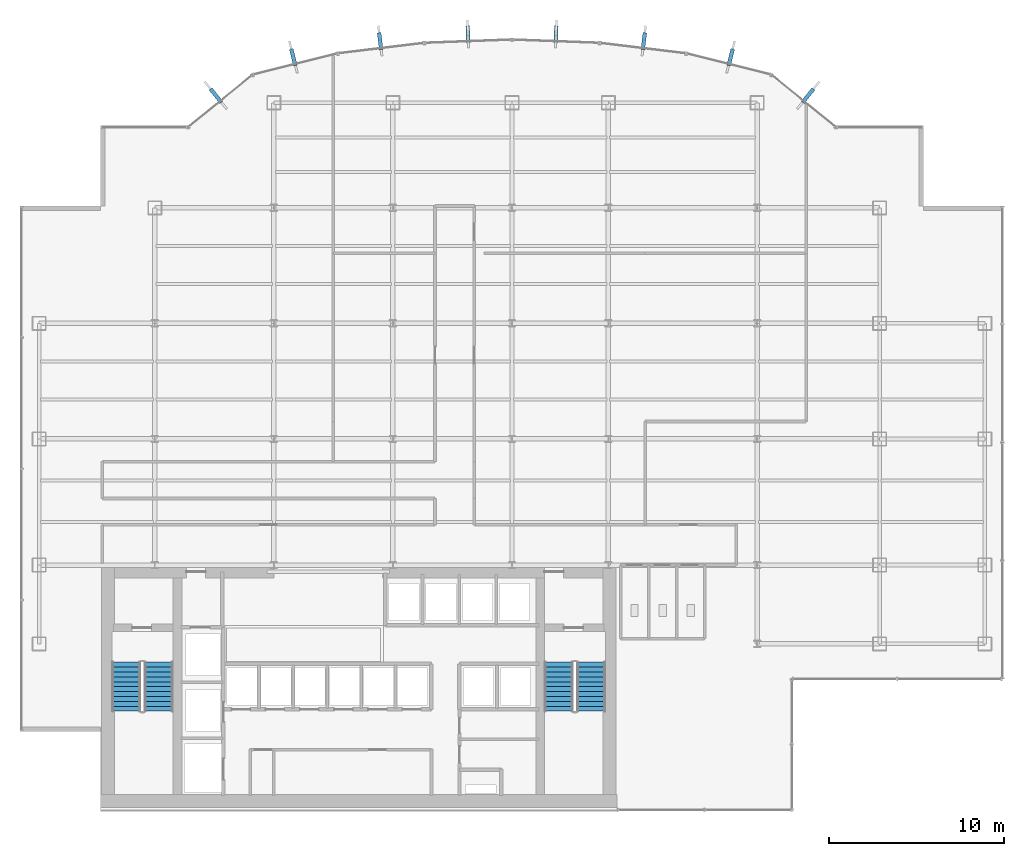
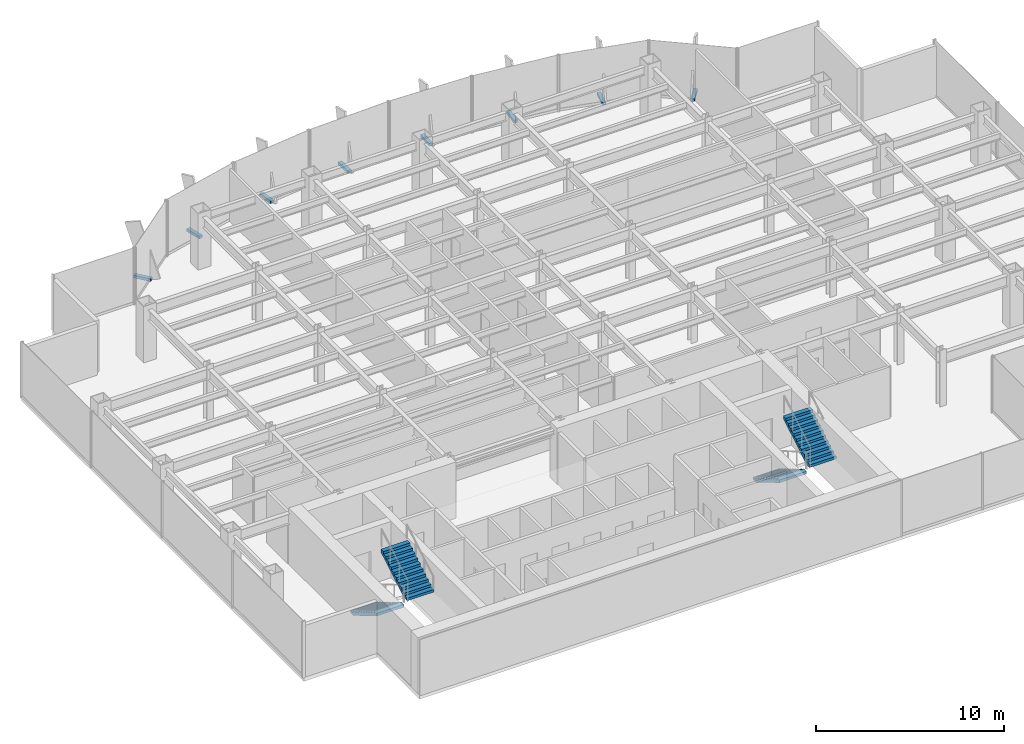
# One storey, part 23 of 26: 8 discrete accessories, 4 stair flights, 2 elements without a shape of their own.
"""IFC4 building model written with IfcOpenShell, lengths in metres."""

from ifc_helpers import new_model, si_unit, derived_unit, direction, frame, origin, origin_2d, place, context, subcontext, project, spatial, polyline, rectangle, outline, extrude, source, transform, mapped, material, type_object, element, aggregate, save


model = new_model("IFC4")

# Units and contexts
model_context = context("Model", 3, precision=1e-05, world=origin(), true_north=direction((0.0, 1.0)))
body_context = subcontext(model_context, "Body", "Model", "MODEL_VIEW")
ifc_project = project(units=[si_unit("LENGTHUNIT", "METRE"), si_unit("AREAUNIT", "SQUARE_METRE"), si_unit("VOLUMEUNIT", "CUBIC_METRE"), si_unit("PLANEANGLEUNIT", "RADIAN"), si_unit("MASSUNIT", "GRAM", prefix="KILO"), derived_unit("THERMALTRANSMITTANCEUNIT", [(si_unit("POWERUNIT", "WATT"), 1), (si_unit("LENGTHUNIT", "METRE"), -2), (si_unit("THERMODYNAMICTEMPERATUREUNIT", "KELVIN"), -1)])], contexts=[model_context])

# Site, building, storey
site_placement = place(None, origin())
site = spatial("IfcSite", under=ifc_project, at=site_placement, CompositionType="ELEMENT")
building_placement = place(site_placement, origin())
building = spatial("IfcBuilding", under=site, at=building_placement, Name="Skarnbrae Concourse Arena and Tower", CompositionType="ELEMENT")
storey_placement = place(building_placement, frame((0.0, 0.0, 132.449951171875)))
storey = spatial("IfcBuildingStorey", under=building, at=storey_placement, Name="L33", CompositionType="ELEMENT", Elevation=132.449951171875)

# Stair, stair flights
ifc_material_1 = material(Name="Concrete 40 MPa (C40/50)", Category="concrete")
stair_type = type_object("IfcStairType", Name="STAIR-DOGLEG-1650", PredefinedType="HALF_TURN_STAIR", material=ifc_material_1)
stair_1_placement = place(storey_placement, origin())
stair_1 = element("IfcStair", 1, at=stair_1_placement, inside=storey, type_object=stair_type, Name="L33 Protected Exit Stair ST-1", PredefinedType="HALF_TURN_STAIR")
stair_flight_type = type_object("IfcStairFlightType", Name="FLIGHT-STRAIGHT-1650", PredefinedType="STRAIGHT", material=ifc_material_1)
shared_shape_1 = source(origin(), body_context, "Body", "SweptSolid", [
    extrude(outline(polyline([(0.0, 0.0), (0.0, 0.166015625), (0.280029296875, 0.166015625), (0.280029296875, 0.331787109375), (0.56005859375, 0.331787109375), (0.56005859375, 0.497802734375), (0.840087890625, 0.497802734375), (0.840087890625, 0.66357421875), (1.1201171875, 0.66357421875), (1.1201171875, 0.82958984375), (1.39990234375, 0.82958984375), (1.39990234375, 0.995361328125), (1.679931640625, 0.995361328125), (1.679931640625, 1.161376953125), (1.9599609375, 1.161376953125), (1.9599609375, 1.327392578125), (2.239990234375, 1.327392578125), (2.239990234375, 1.4931640625), (2.52001953125, 1.4931640625), (2.52001953125, 1.6591796875), (2.800048828125, 1.6591796875), (2.800048828125, 1.824951171875), (2.800048828125, 1.48486328125), (0.2939453125, 0.0), (0.0, 0.0)])), frame((0.0, 0.824951171875, 0.0), z_axis=(0.0, -1.0, 0.0), x_axis=(1.0, 0.0, 0.0)), (0.0, 0.0, 1.0), 1.64990234375),
])
stair_flight_1_placement = place(storey_placement, frame((5.97509765625, 8.449951171875, 0.0), z_axis=(0.0, 0.0, 1.0), x_axis=(0.0, -1.0, 0.0)))
stair_flight_1 = element("IfcStairFlight", 2, at=stair_flight_1_placement, type_object=stair_flight_type, Name="ST-1 flight 1", NumberOfRisers=11, NumberOfTreads=10, PredefinedType="STRAIGHT", RiserHeight=0.165909091, TreadLength=0.28, context=body_context, shape_type="MappedRepresentation", body=[
    mapped(shared_shape_1, transform((0.0, 0.0, 0.0))),
])
stair_flight_2_placement = place(storey_placement, frame((7.824951171875, 5.64990234375, 1.824951171875), z_axis=(0.0, 0.0, 1.0), x_axis=(0.0, 1.0, 0.0)))
stair_flight_2 = element("IfcStairFlight", 3, at=stair_flight_2_placement, type_object=stair_flight_type, Name="ST-1 flight 2", NumberOfRisers=11, NumberOfTreads=10, PredefinedType="STRAIGHT", RiserHeight=0.165909091, TreadLength=0.28, context=body_context, shape_type="MappedRepresentation", body=[
    mapped(shared_shape_1, transform((0.0, 0.0, 0.0))),
])
aggregate(stair_1, [stair_flight_1, stair_flight_2])

stair_2_placement = place(storey_placement, origin())
stair_2 = element("IfcStair", 4, at=stair_2_placement, inside=storey, type_object=stair_type, Name="L33 Protected Exit Stair ST-2", PredefinedType="HALF_TURN_STAIR")
stair_flight_3_placement = place(storey_placement, frame((30.675048828125, 8.449951171875, 0.0), z_axis=(0.0, 0.0, 1.0), x_axis=(0.0, -1.0, 0.0)))
stair_flight_3 = element("IfcStairFlight", 5, at=stair_flight_3_placement, type_object=stair_flight_type, Name="ST-2 flight 1", NumberOfRisers=11, NumberOfTreads=10, PredefinedType="STRAIGHT", RiserHeight=0.165909091, TreadLength=0.28, context=body_context, shape_type="MappedRepresentation", body=[
    mapped(shared_shape_1, transform((0.0, 0.0, 0.0))),
])
stair_flight_4_placement = place(storey_placement, frame((32.52490234375, 5.64990234375, 1.824951171875), z_axis=(0.0, 0.0, 1.0), x_axis=(0.0, 1.0, 0.0)))
stair_flight_4 = element("IfcStairFlight", 6, at=stair_flight_4_placement, type_object=stair_flight_type, Name="ST-2 flight 2", NumberOfRisers=11, NumberOfTreads=10, PredefinedType="STRAIGHT", RiserHeight=0.165909091, TreadLength=0.28, context=body_context, shape_type="MappedRepresentation", body=[
    mapped(shared_shape_1, transform((0.0, 0.0, 0.0))),
])
aggregate(stair_2, [stair_flight_3, stair_flight_4])

# Discrete accessories
ifc_material_2 = material(Name="Bronze anodised aluminium 6063-T6", Category="aluminium")
discrete_accessory_type = type_object("IfcDiscreteAccessoryType", Name="ACC-FIN-BRACKET", PredefinedType="BRACKET", material=ifc_material_2)
shared_shape_2 = source(origin(), body_context, "Body", "SweptSolid", [
    extrude(rectangle(XDim=0.219970703125, YDim=0.97998046875, at=origin_2d()), origin(), (0.0, 0.0, 1.0), 0.179931640625),
])
for number, where, z_axis, x_axis, name in (
    (7, (44.90771484375, 40.80859375, -0.02978515625), (0.0, 0.0, 1.0), (0.776244501415, -0.630431974144, 0.0), "L33 Bronze fin foot support bracket 08"),
    (8, (40.485107421875, 42.992431640625, -0.02978515625), (0.0, 0.0, 1.0), (0.969901771235, -0.243496517748, 0.0), "L33 Bronze fin foot support bracket 09"),
    (9, (35.529541015625, 43.910400390625, -0.02978515625), (0.0, 0.0, 1.0), (0.992748952377, -0.120206146079, 0.0), "L33 Bronze fin foot support bracket 10"),
    (10, (30.514404296875, 44.306640625, -0.02978515625), (0.0, 0.0, 1.0), (0.999308421355, -0.037184392011, 0.0), "L33 Bronze fin foot support bracket 11"),
    (11, (25.485595703125, 44.306640625, -0.02978515625), (0.0, 0.0, 1.0), (0.999308421355, 0.037184392011, 0.0), "L33 Bronze fin foot support bracket 12"),
    (12, (20.470458984375, 43.910400390625, -0.02978515625), (0.0, 0.0, 1.0), (0.992748952377, 0.120206146079, 0.0), "L33 Bronze fin foot support bracket 13"),
    (13, (15.514892578125, 42.992431640625, -0.02978515625), (0.0, 0.0, 1.0), (0.969901771235, 0.243496517748, 0.0), "L33 Bronze fin foot support bracket 14"),
    (14, (11.09228515625, 40.80859375, -0.02978515625), (0.0, 0.0, 1.0), (0.776244501415, 0.630431974144, 0.0), "L33 Bronze fin foot support bracket 15"),
):
    element("IfcDiscreteAccessory", number, at=place(storey_placement, frame(where, z_axis=z_axis, x_axis=x_axis)), inside=storey, type_object=discrete_accessory_type, Name=name, PredefinedType="BRACKET", context=body_context, shape_type="MappedRepresentation", body=[
        mapped(shared_shape_2, transform((0.0, 0.0, 0.0))),
    ])

save(model, "model.ifc")
